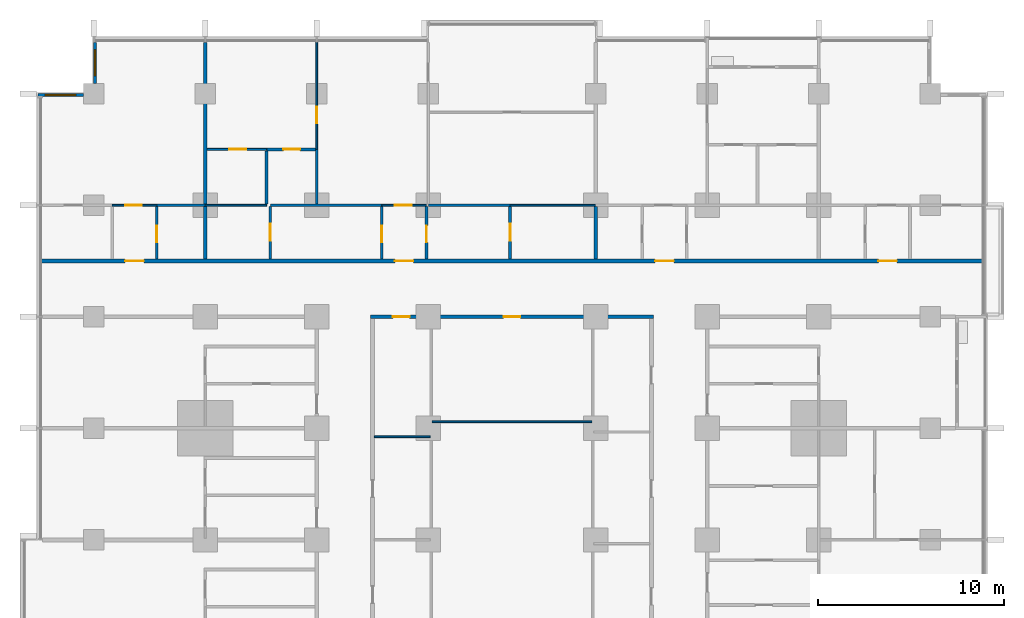
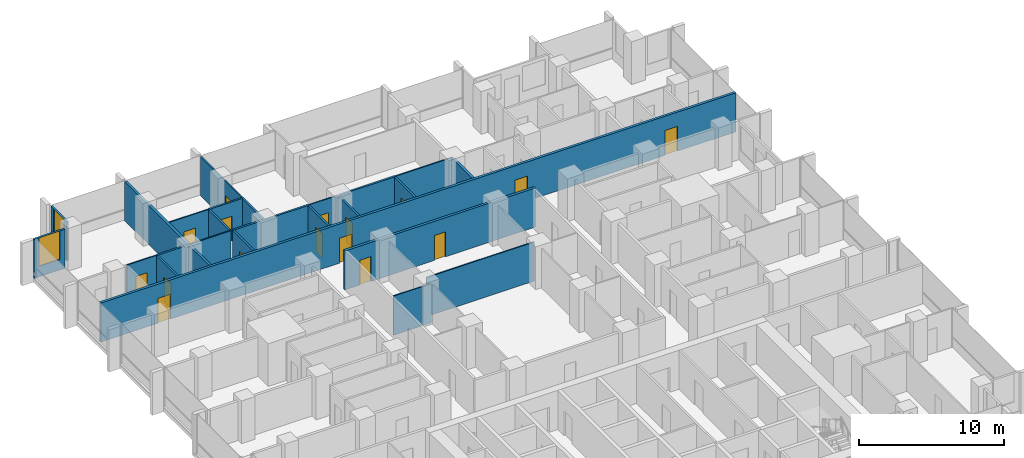
# One storey, part 11 of 18: 26 walls, 16 doors, 2 windows, 18 openings.
"""IFC4 building model written with IfcOpenShell, lengths in metres."""

from ifc_helpers import new_model, si_unit, direction, frame, frame_2d, origin, place, context, subcontext, project, spatial, rectangle, extrude, material, layer, layer_set, type_object, element, fill, save


model = new_model("IFC4")

# Units and contexts
model_context = context("Model", 3, precision=1e-05, world=origin(), true_north=direction((0.0, 1.0)))
body_context = subcontext(model_context, "Body", "Model", "MODEL_VIEW")
ifc_project = project(units=[si_unit("LENGTHUNIT", "METRE"), si_unit("AREAUNIT", "SQUARE_METRE"), si_unit("VOLUMEUNIT", "CUBIC_METRE"), si_unit("PLANEANGLEUNIT", "RADIAN"), si_unit("MASSUNIT", "GRAM", prefix="KILO")], contexts=[model_context])

# Site, building, storey
site_placement = place(None, origin())
site = spatial("IfcSite", under=ifc_project, at=site_placement, CompositionType="ELEMENT")
building_placement = place(site_placement, origin())
building = spatial("IfcBuilding", under=site, at=building_placement, Name="Finial Court Residences", CompositionType="ELEMENT")
storey_placement = place(building_placement, frame((0.0, 0.0, 68.5)))
storey = spatial("IfcBuildingStorey", under=building, at=storey_placement, Name="L16", CompositionType="ELEMENT", Elevation=68.5)

# Walls
ifc_material_1 = material(Name="Gypsum board")
ifc_layer_1 = layer(ifc_material_1, 0.02490234375)
ifc_material_2 = material(Name="Acoustic mineral wool in double frame")
ifc_layer_2 = layer(ifc_material_2, 0.14990234375)
ifc_layer_3 = layer(ifc_material_1, 0.02490234375)
ifc_layer_set_1 = layer_set([ifc_layer_1, ifc_layer_2, ifc_layer_3], Name="Acoustic party wall 200, 1 hour")
wall_type_1 = type_object("IfcWallType", Name="Acoustic party wall 200, 1 hour", PredefinedType="PARTITIONING", material=ifc_layer_set_1)
wall_1_placement = place(storey_placement, frame((-16.5, 16.60009765625, 0.0), z_axis=(0.0, 0.0, 1.0), x_axis=(0.0, 1.0, 0.0)))
element("IfcWall", 1, at=wall_1_placement, inside=storey, type_object=wall_type_1, Name="Partition L16-061", PredefinedType="PARTITIONING", context=body_context, shape_type="SweptSolid", body=[
    extrude(rectangle(XDim=2.824951171875, YDim=0.199951171875, at=frame_2d((1.41259765625, 0.0))), origin(), (0.0, 0.0, 1.0), 3.300048828125),
])
wall_2_placement = place(storey_placement, frame((-16.5, 19.574951171875, 0.0), z_axis=(0.0, 0.0, 1.0), x_axis=(0.0, 1.0, 0.0)))
element("IfcWall", 2, at=wall_2_placement, inside=storey, type_object=wall_type_1, Name="Partition L16-062", PredefinedType="PARTITIONING", context=body_context, shape_type="SweptSolid", body=[
    extrude(rectangle(XDim=8.675048828125, YDim=0.199951171875, at=frame_2d((4.33740234375, 0.0))), origin(), (0.0, 0.0, 1.0), 3.300048828125),
])
wall_3_placement = place(storey_placement, frame((4.5, 16.60009765625, 0.0), z_axis=(0.0, 0.0, 1.0), x_axis=(0.0, 1.0, 0.0)))
element("IfcWall", 3, at=wall_3_placement, inside=storey, type_object=wall_type_1, Name="Partition L16-079", PredefinedType="PARTITIONING", context=body_context, shape_type="SweptSolid", body=[
    extrude(rectangle(XDim=2.824951171875, YDim=0.199951171875, at=frame_2d((1.41259765625, 0.0))), origin(), (0.0, 0.0, 1.0), 3.300048828125),
])

# Wall, openings, doors
ifc_layer_4 = layer(ifc_material_1, 0.02490234375)
ifc_layer_5 = layer(ifc_material_2, 0.14990234375)
ifc_layer_6 = layer(ifc_material_1, 0.02490234375)
ifc_layer_set_2 = layer_set([ifc_layer_4, ifc_layer_5, ifc_layer_6], Name="Corridor wall 200, 1 hour")
wall_type_2 = type_object("IfcWallType", Name="Corridor wall 200, 1 hour", PredefinedType="PARTITIONING", material=ifc_layer_set_2)
wall_4_placement = place(storey_placement, frame((-7.60009765625, 13.5, 0.0), z_axis=(0.0, 0.0, 1.0), x_axis=(1.0, 0.0, 0.0)))
wall_4 = element("IfcWall", 4, at=wall_4_placement, inside=storey, type_object=wall_type_2, Name="Partition L16-033", PredefinedType="PARTITIONING", context=body_context, shape_type="SweptSolid", body=[
    extrude(rectangle(XDim=15.2001953125, YDim=0.199951171875, at=frame_2d((7.60009765625, 0.0))), origin(), (0.0, 0.0, 1.0), 3.300048828125),
])
opening_1_placement = place(wall_4_placement, frame((1.199951171875, 0.0, 0.0)))
opening_1 = element("IfcOpeningElement", 5, at=opening_1_placement, cuts=wall_4, Name="Opening L16-D015", PredefinedType="OPENING", context=body_context, shape_type="SweptSolid", body=[
    extrude(rectangle(XDim=0.89990234375, YDim=2.10009765625, at=frame_2d((0.449951171875, 1.050048828125))), frame((0.0, 0.10986328125, 0.0), z_axis=(0.0, -1.0, 0.0), x_axis=(1.0, 0.0, 0.0)), (0.0, 0.0, 1.0), 0.219970703125),
])
opening_2_placement = place(wall_4_placement, frame((7.14990234375, 0.0, 0.0)))
opening_2 = element("IfcOpeningElement", 6, at=opening_2_placement, cuts=wall_4, Name="Opening L16-D016", PredefinedType="OPENING", context=body_context, shape_type="SweptSolid", body=[
    extrude(rectangle(XDim=0.89990234375, YDim=2.10009765625, at=frame_2d((0.449951171875, 1.050048828125))), frame((0.0, 0.10986328125, 0.0), z_axis=(0.0, -1.0, 0.0), x_axis=(1.0, 0.0, 0.0)), (0.0, 0.0, 1.0), 0.219970703125),
])
ifc_material_3 = material(Name="Timber door leaf in hollow metal frame", Category="wood")
door_type_1 = type_object("IfcDoorType", Name="Fire door set 900 x 2100, 30 minutes", OperationType="SINGLE_SWING_LEFT", PredefinedType="DOOR", material=ifc_material_3)
door_1_placement = place(opening_1_placement, origin())
door_1 = element("IfcDoor", 7, at=door_1_placement, inside=storey, type_object=door_type_1, Name="Door L16-D015", OperationType="SINGLE_SWING_LEFT", OverallHeight=2.10009765625, OverallWidth=0.89990234375, PredefinedType="DOOR", context=body_context, shape_type="SweptSolid", body=[
    extrude(rectangle(XDim=0.89990234375, YDim=2.10009765625, at=frame_2d((0.449951171875, 1.050048828125))), frame((0.0, 0.02490234375, 0.0), z_axis=(0.0, -1.0, 0.0), x_axis=(1.0, 0.0, 0.0)), (0.0, 0.0, 1.0), 0.050048828125),
])
fill(opening_1, door_1)
door_2_placement = place(opening_2_placement, origin())
door_2 = element("IfcDoor", 8, at=door_2_placement, inside=storey, type_object=door_type_1, Name="Door L16-D016", OperationType="SINGLE_SWING_LEFT", OverallHeight=2.10009765625, OverallWidth=0.89990234375, PredefinedType="DOOR", context=body_context, shape_type="SweptSolid", body=[
    extrude(rectangle(XDim=0.89990234375, YDim=2.10009765625, at=frame_2d((0.449951171875, 1.050048828125))), frame((0.0, 0.02490234375, 0.0), z_axis=(0.0, -1.0, 0.0), x_axis=(1.0, 0.0, 0.0)), (0.0, 0.0, 1.0), 0.050048828125),
])
fill(opening_2, door_2)

wall_5_placement = place(storey_placement, frame((-25.35009765625, 16.5, 0.0), z_axis=(0.0, 0.0, 1.0), x_axis=(1.0, 0.0, 0.0)))
wall_5 = element("IfcWall", 9, at=wall_5_placement, inside=storey, type_object=wall_type_2, Name="Partition L16-035", PredefinedType="PARTITIONING", context=body_context, shape_type="SweptSolid", body=[
    extrude(rectangle(XDim=50.7001953125, YDim=0.199951171875, at=frame_2d((25.35009765625, 0.0))), origin(), (0.0, 0.0, 1.0), 3.300048828125),
])
opening_3_placement = place(wall_5_placement, frame((4.550048828125, 0.0, 0.0)))
opening_3 = element("IfcOpeningElement", 10, at=opening_3_placement, cuts=wall_5, Name="Opening L16-D017", PredefinedType="OPENING", context=body_context, shape_type="SweptSolid", body=[
    extrude(rectangle(XDim=1.0, YDim=2.10009765625, at=frame_2d((0.5, 1.050048828125))), frame((0.0, 0.10986328125, 0.0), z_axis=(0.0, -1.0, 0.0), x_axis=(1.0, 0.0, 0.0)), (0.0, 0.0, 1.0), 0.219970703125),
])
opening_4_placement = place(wall_5_placement, frame((19.050048828125, 0.0, 0.0)))
opening_4 = element("IfcOpeningElement", 11, at=opening_4_placement, cuts=wall_5, Name="Opening L16-D018", PredefinedType="OPENING", context=body_context, shape_type="SweptSolid", body=[
    extrude(rectangle(XDim=1.0, YDim=2.10009765625, at=frame_2d((0.5, 1.050048828125))), frame((0.0, 0.10986328125, 0.0), z_axis=(0.0, -1.0, 0.0), x_axis=(1.0, 0.0, 0.0)), (0.0, 0.0, 1.0), 0.219970703125),
])
opening_5_placement = place(wall_5_placement, frame((33.050048828125, 0.0, 0.0)))
opening_5 = element("IfcOpeningElement", 12, at=opening_5_placement, cuts=wall_5, Name="Opening L16-D019", PredefinedType="OPENING", context=body_context, shape_type="SweptSolid", body=[
    extrude(rectangle(XDim=1.0, YDim=2.10009765625, at=frame_2d((0.5, 1.050048828125))), frame((0.0, 0.10986328125, 0.0), z_axis=(0.0, -1.0, 0.0), x_axis=(1.0, 0.0, 0.0)), (0.0, 0.0, 1.0), 0.219970703125),
])
opening_6_placement = place(wall_5_placement, frame((45.050048828125, 0.0, 0.0)))
opening_6 = element("IfcOpeningElement", 13, at=opening_6_placement, cuts=wall_5, Name="Opening L16-D020", PredefinedType="OPENING", context=body_context, shape_type="SweptSolid", body=[
    extrude(rectangle(XDim=1.0, YDim=2.10009765625, at=frame_2d((0.5, 1.050048828125))), frame((0.0, 0.10986328125, 0.0), z_axis=(0.0, -1.0, 0.0), x_axis=(1.0, 0.0, 0.0)), (0.0, 0.0, 1.0), 0.219970703125),
])
door_type_2 = type_object("IfcDoorType", Name="Fire door set 1000 x 2100, 30 minutes", OperationType="SINGLE_SWING_LEFT", PredefinedType="DOOR", material=ifc_material_3)
door_3_placement = place(opening_3_placement, origin())
door_3 = element("IfcDoor", 14, at=door_3_placement, inside=storey, type_object=door_type_2, Name="Door L16-D017", OperationType="SINGLE_SWING_RIGHT", OverallHeight=2.10009765625, OverallWidth=1.0, PredefinedType="DOOR", context=body_context, shape_type="SweptSolid", body=[
    extrude(rectangle(XDim=1.0, YDim=2.10009765625, at=frame_2d((0.5, 1.050048828125))), frame((0.0, 0.02490234375, 0.0), z_axis=(0.0, -1.0, 0.0), x_axis=(1.0, 0.0, 0.0)), (0.0, 0.0, 1.0), 0.050048828125),
])
fill(opening_3, door_3)
door_4_placement = place(opening_4_placement, origin())
door_4 = element("IfcDoor", 15, at=door_4_placement, inside=storey, type_object=door_type_2, Name="Door L16-D018", OperationType="SINGLE_SWING_RIGHT", OverallHeight=2.10009765625, OverallWidth=1.0, PredefinedType="DOOR", context=body_context, shape_type="SweptSolid", body=[
    extrude(rectangle(XDim=1.0, YDim=2.10009765625, at=frame_2d((0.5, 1.050048828125))), frame((0.0, 0.02490234375, 0.0), z_axis=(0.0, -1.0, 0.0), x_axis=(1.0, 0.0, 0.0)), (0.0, 0.0, 1.0), 0.050048828125),
])
fill(opening_4, door_4)
door_5_placement = place(opening_5_placement, origin())
door_5 = element("IfcDoor", 16, at=door_5_placement, inside=storey, type_object=door_type_2, Name="Door L16-D019", OperationType="SINGLE_SWING_LEFT", OverallHeight=2.10009765625, OverallWidth=1.0, PredefinedType="DOOR", context=body_context, shape_type="SweptSolid", body=[
    extrude(rectangle(XDim=1.0, YDim=2.10009765625, at=frame_2d((0.5, 1.050048828125))), frame((0.0, 0.02490234375, 0.0), z_axis=(0.0, -1.0, 0.0), x_axis=(1.0, 0.0, 0.0)), (0.0, 0.0, 1.0), 0.050048828125),
])
fill(opening_5, door_5)
door_6_placement = place(opening_6_placement, origin())
door_6 = element("IfcDoor", 17, at=door_6_placement, inside=storey, type_object=door_type_2, Name="Door L16-D020", OperationType="SINGLE_SWING_LEFT", OverallHeight=2.10009765625, OverallWidth=1.0, PredefinedType="DOOR", context=body_context, shape_type="SweptSolid", body=[
    extrude(rectangle(XDim=1.0, YDim=2.10009765625, at=frame_2d((0.5, 1.050048828125))), frame((0.0, 0.02490234375, 0.0), z_axis=(0.0, -1.0, 0.0), x_axis=(1.0, 0.0, 0.0)), (0.0, 0.0, 1.0), 0.050048828125),
])
fill(opening_6, door_6)

# Walls
ifc_layer_7 = layer(ifc_material_1, 0.012451171875)
ifc_material_4 = material(Name="Mineral wool in light-gauge frame")
ifc_layer_8 = layer(ifc_material_4, 0.074951171875)
ifc_layer_9 = layer(ifc_material_1, 0.012451171875)
ifc_layer_set_3 = layer_set([ifc_layer_7, ifc_layer_8, ifc_layer_9], Name="Gypsum board partition 100")
wall_type_3 = type_object("IfcWallType", Name="Gypsum board partition 100", PredefinedType="PARTITIONING", material=ifc_layer_set_3)
wall_6_placement = place(storey_placement, frame((-7.39990234375, 7.050048828125, 0.0), z_axis=(0.0, 0.0, 1.0), x_axis=(1.0, 0.0, 0.0)))
element("IfcWall", 18, at=wall_6_placement, inside=storey, type_object=wall_type_3, Name="Partition L16-023", PredefinedType="PARTITIONING", context=body_context, shape_type="SweptSolid", body=[
    extrude(rectangle(XDim=3.0, YDim=0.10009765625, at=frame_2d((1.5, 0.0))), origin(), (0.0, 0.0, 1.0), 3.300048828125),
])
wall_7_placement = place(storey_placement, frame((-4.300048828125, 7.85009765625, 0.0), z_axis=(0.0, 0.0, 1.0), x_axis=(1.0, 0.0, 0.0)))
element("IfcWall", 19, at=wall_7_placement, inside=storey, type_object=wall_type_3, Name="Partition L16-027", PredefinedType="PARTITIONING", context=body_context, shape_type="SweptSolid", body=[
    extrude(rectangle(XDim=8.60009765625, YDim=0.10009765625, at=frame_2d((4.300048828125, 0.0))), origin(), (0.0, 0.0, 1.0), 3.300048828125),
])

# Wall, opening, door
wall_8_placement = place(storey_placement, frame((-21.5, 19.5, 0.0), z_axis=(0.0, 0.0, 1.0), x_axis=(1.0, 0.0, 0.0)))
wall_8 = element("IfcWall", 20, at=wall_8_placement, inside=storey, type_object=wall_type_3, Name="Partition L16-036", PredefinedType="PARTITIONING", context=body_context, shape_type="SweptSolid", body=[
    extrude(rectangle(XDim=2.39990234375, YDim=0.10009765625, at=frame_2d((1.199951171875, 0.0))), origin(), (0.0, 0.0, 1.0), 3.300048828125),
])
opening_7_placement = place(wall_8_placement, frame((0.699951171875, 0.0, 0.0)))
opening_7 = element("IfcOpeningElement", 21, at=opening_7_placement, cuts=wall_8, Name="Opening L16-D021", PredefinedType="OPENING", context=body_context, shape_type="SweptSolid", body=[
    extrude(rectangle(XDim=0.89990234375, YDim=2.10009765625, at=frame_2d((0.449951171875, 1.050048828125))), frame((0.0, 0.06005859375, 0.0), z_axis=(0.0, -1.0, 0.0), x_axis=(1.0, 0.0, 0.0)), (0.0, 0.0, 1.0), 0.1201171875),
])
ifc_material_5 = material(Name="Timber door leaf in timber frame", Category="wood")
door_type_3 = type_object("IfcDoorType", Name="Door set 900 x 2100", OperationType="SINGLE_SWING_LEFT", PredefinedType="DOOR", material=ifc_material_5)
door_7_placement = place(opening_7_placement, origin())
door_7 = element("IfcDoor", 22, at=door_7_placement, inside=storey, type_object=door_type_3, Name="Door L16-D021", OperationType="SINGLE_SWING_LEFT", OverallHeight=2.10009765625, OverallWidth=0.89990234375, PredefinedType="DOOR", context=body_context, shape_type="SweptSolid", body=[
    extrude(rectangle(XDim=0.89990234375, YDim=2.10009765625, at=frame_2d((0.449951171875, 1.050048828125))), frame((0.0, 0.02490234375, 0.0), z_axis=(0.0, -1.0, 0.0), x_axis=(1.0, 0.0, 0.0)), (0.0, 0.0, 1.0), 0.050048828125),
])
fill(opening_7, door_7)

# Wall
wall_9_placement = place(storey_placement, frame((-16.5, 19.5, 0.0), z_axis=(0.0, 0.0, 1.0), x_axis=(1.0, 0.0, 0.0)))
element("IfcWall", 23, at=wall_9_placement, inside=storey, type_object=wall_type_3, Name="Partition L16-037", PredefinedType="PARTITIONING", context=body_context, shape_type="SweptSolid", body=[
    extrude(rectangle(XDim=3.300048828125, YDim=0.10009765625, at=frame_2d((1.64990234375, 0.0))), origin(), (0.0, 0.0, 1.0), 3.300048828125),
])

# Wall, opening, door
wall_10_placement = place(storey_placement, frame((-7.0, 19.5, 0.0), z_axis=(0.0, 0.0, 1.0), x_axis=(1.0, 0.0, 0.0)))
wall_10 = element("IfcWall", 24, at=wall_10_placement, inside=storey, type_object=wall_type_3, Name="Partition L16-038", PredefinedType="PARTITIONING", context=body_context, shape_type="SweptSolid", body=[
    extrude(rectangle(XDim=2.39990234375, YDim=0.10009765625, at=frame_2d((1.199951171875, 0.0))), origin(), (0.0, 0.0, 1.0), 3.300048828125),
])
opening_8_placement = place(wall_10_placement, frame((0.699951171875, 0.0, 0.0)))
opening_8 = element("IfcOpeningElement", 25, at=opening_8_placement, cuts=wall_10, Name="Opening L16-D022", PredefinedType="OPENING", context=body_context, shape_type="SweptSolid", body=[
    extrude(rectangle(XDim=0.89990234375, YDim=2.10009765625, at=frame_2d((0.449951171875, 1.050048828125))), frame((0.0, 0.06005859375, 0.0), z_axis=(0.0, -1.0, 0.0), x_axis=(1.0, 0.0, 0.0)), (0.0, 0.0, 1.0), 0.1201171875),
])
door_8_placement = place(opening_8_placement, origin())
door_8 = element("IfcDoor", 26, at=door_8_placement, inside=storey, type_object=door_type_3, Name="Door L16-D022", OperationType="SINGLE_SWING_LEFT", OverallHeight=2.10009765625, OverallWidth=0.89990234375, PredefinedType="DOOR", context=body_context, shape_type="SweptSolid", body=[
    extrude(rectangle(XDim=0.89990234375, YDim=2.10009765625, at=frame_2d((0.449951171875, 1.050048828125))), frame((0.0, 0.02490234375, 0.0), z_axis=(0.0, -1.0, 0.0), x_axis=(1.0, 0.0, 0.0)), (0.0, 0.0, 1.0), 0.050048828125),
])
fill(opening_8, door_8)

# Wall
wall_11_placement = place(storey_placement, frame((-0.10009765625, 19.5, 0.0), z_axis=(0.0, 0.0, 1.0), x_axis=(1.0, 0.0, 0.0)))
element("IfcWall", 27, at=wall_11_placement, inside=storey, type_object=wall_type_3, Name="Partition L16-039", PredefinedType="PARTITIONING", context=body_context, shape_type="SweptSolid", body=[
    extrude(rectangle(XDim=4.60009765625, YDim=0.10009765625, at=frame_2d((2.300048828125, 0.0))), origin(), (0.0, 0.0, 1.0), 3.300048828125),
])

# Wall, opening, door
wall_12_placement = place(storey_placement, frame((-16.39990234375, 22.5, 0.0), z_axis=(0.0, 0.0, 1.0), x_axis=(1.0, 0.0, 0.0)))
wall_12 = element("IfcWall", 28, at=wall_12_placement, inside=storey, type_object=wall_type_3, Name="Partition L16-049", PredefinedType="PARTITIONING", context=body_context, shape_type="SweptSolid", body=[
    extrude(rectangle(XDim=3.199951171875, YDim=0.10009765625, at=frame_2d((1.60009765625, 0.0))), origin(), (0.0, 0.0, 1.0), 3.300048828125),
])
opening_9_placement = place(wall_12_placement, frame((1.199951171875, 0.0, 0.0)))
opening_9 = element("IfcOpeningElement", 29, at=opening_9_placement, cuts=wall_12, Name="Opening L16-D027", PredefinedType="OPENING", context=body_context, shape_type="SweptSolid", body=[
    extrude(rectangle(XDim=0.89990234375, YDim=2.10009765625, at=frame_2d((0.449951171875, 1.050048828125))), frame((0.0, 0.06005859375, 0.0), z_axis=(0.0, -1.0, 0.0), x_axis=(1.0, 0.0, 0.0)), (0.0, 0.0, 1.0), 0.1201171875),
])
door_9_placement = place(opening_9_placement, origin())
door_9 = element("IfcDoor", 30, at=door_9_placement, inside=storey, type_object=door_type_3, Name="Door L16-D027", OperationType="SINGLE_SWING_LEFT", OverallHeight=2.10009765625, OverallWidth=0.89990234375, PredefinedType="DOOR", context=body_context, shape_type="SweptSolid", body=[
    extrude(rectangle(XDim=0.89990234375, YDim=2.10009765625, at=frame_2d((0.449951171875, 1.050048828125))), frame((0.0, 0.02490234375, 0.0), z_axis=(0.0, -1.0, 0.0), x_axis=(1.0, 0.0, 0.0)), (0.0, 0.0, 1.0), 0.050048828125),
])
fill(opening_9, door_9)

wall_13_placement = place(storey_placement, frame((-10.5, 22.5, 0.0), z_axis=(0.0, 0.0, 1.0), x_axis=(0.0, 1.0, 0.0)))
wall_13 = element("IfcWall", 31, at=wall_13_placement, inside=storey, type_object=wall_type_3, Name="Partition L16-070", PredefinedType="PARTITIONING", context=body_context, shape_type="SweptSolid", body=[
    extrude(rectangle(XDim=5.75, YDim=0.10009765625, at=frame_2d((2.875, 0.0))), origin(), (0.0, 0.0, 1.0), 3.300048828125),
])
opening_10_placement = place(wall_13_placement, frame((1.39990234375, 0.0, 0.0)))
opening_10 = element("IfcOpeningElement", 32, at=opening_10_placement, cuts=wall_13, Name="Opening L16-D043", PredefinedType="OPENING", context=body_context, shape_type="SweptSolid", body=[
    extrude(rectangle(XDim=0.89990234375, YDim=2.10009765625, at=frame_2d((0.449951171875, 1.050048828125))), frame((0.0, 0.06005859375, 0.0), z_axis=(0.0, -1.0, 0.0), x_axis=(1.0, 0.0, 0.0)), (0.0, 0.0, 1.0), 0.1201171875),
])
door_10_placement = place(opening_10_placement, origin())
door_10 = element("IfcDoor", 33, at=door_10_placement, inside=storey, type_object=door_type_3, Name="Door L16-D043", OperationType="SINGLE_SWING_RIGHT", OverallHeight=2.10009765625, OverallWidth=0.89990234375, PredefinedType="DOOR", context=body_context, shape_type="SweptSolid", body=[
    extrude(rectangle(XDim=0.89990234375, YDim=2.10009765625, at=frame_2d((0.449951171875, 1.050048828125))), frame((0.0, 0.02490234375, 0.0), z_axis=(0.0, -1.0, 0.0), x_axis=(1.0, 0.0, 0.0)), (0.0, 0.0, 1.0), 0.050048828125),
])
fill(opening_10, door_10)

# Walls
ifc_material_6 = material(Name="Moisture-resistant gypsum board")
ifc_layer_10 = layer(ifc_material_6, 0.012451171875)
ifc_layer_11 = layer(ifc_material_4, 0.125)
ifc_layer_12 = layer(ifc_material_6, 0.012451171875)
ifc_layer_set_4 = layer_set([ifc_layer_10, ifc_layer_11, ifc_layer_12], Name="Gypsum board wet-area partition 150")
wall_type_4 = type_object("IfcWallType", Name="Gypsum board wet-area partition 150", PredefinedType="PARTITIONING", material=ifc_layer_set_4)
wall_14_placement = place(storey_placement, frame((-19.10009765625, 19.5, 0.0), z_axis=(0.0, 0.0, 1.0), x_axis=(1.0, 0.0, 0.0)))
element("IfcWall", 34, at=wall_14_placement, inside=storey, type_object=wall_type_4, Name="Partition L16-043", PredefinedType="PARTITIONING", context=body_context, shape_type="SweptSolid", body=[
    extrude(rectangle(XDim=2.60009765625, YDim=0.14990234375, at=frame_2d((1.300048828125, 0.0))), origin(), (0.0, 0.0, 1.0), 3.300048828125),
])
wall_15_placement = place(storey_placement, frame((-13.0, 19.5, 0.0), z_axis=(0.0, 0.0, 1.0), x_axis=(1.0, 0.0, 0.0)))
element("IfcWall", 35, at=wall_15_placement, inside=storey, type_object=wall_type_4, Name="Partition L16-044", PredefinedType="PARTITIONING", context=body_context, shape_type="SweptSolid", body=[
    extrude(rectangle(XDim=6.0, YDim=0.14990234375, at=frame_2d((3.0, 0.0))), origin(), (0.0, 0.0, 1.0), 3.300048828125),
])
wall_16_placement = place(storey_placement, frame((-4.5, 19.5, 0.0), z_axis=(0.0, 0.0, 1.0), x_axis=(1.0, 0.0, 0.0)))
element("IfcWall", 36, at=wall_16_placement, inside=storey, type_object=wall_type_4, Name="Partition L16-045", PredefinedType="PARTITIONING", context=body_context, shape_type="SweptSolid", body=[
    extrude(rectangle(XDim=4.39990234375, YDim=0.14990234375, at=frame_2d((2.199951171875, 0.0))), origin(), (0.0, 0.0, 1.0), 3.300048828125),
])

# Wall, opening, door
wall_17_placement = place(storey_placement, frame((-13.199951171875, 22.5, 0.0), z_axis=(0.0, 0.0, 1.0), x_axis=(1.0, 0.0, 0.0)))
wall_17 = element("IfcWall", 37, at=wall_17_placement, inside=storey, type_object=wall_type_4, Name="Partition L16-050", PredefinedType="PARTITIONING", context=body_context, shape_type="SweptSolid", body=[
    extrude(rectangle(XDim=2.625, YDim=0.14990234375, at=frame_2d((1.3125, 0.0))), origin(), (0.0, 0.0, 1.0), 3.300048828125),
])
opening_11_placement = place(wall_17_placement, frame((0.89990234375, 0.0, 0.0)))
opening_11 = element("IfcOpeningElement", 38, at=opening_11_placement, cuts=wall_17, Name="Opening L16-D028", PredefinedType="OPENING", context=body_context, shape_type="SweptSolid", body=[
    extrude(rectangle(XDim=0.89990234375, YDim=2.10009765625, at=frame_2d((0.449951171875, 1.050048828125))), frame((0.0, 0.0849609375, 0.0), z_axis=(0.0, -1.0, 0.0), x_axis=(1.0, 0.0, 0.0)), (0.0, 0.0, 1.0), 0.169921875),
])
door_11_placement = place(opening_11_placement, origin())
door_11 = element("IfcDoor", 39, at=door_11_placement, inside=storey, type_object=door_type_3, Name="Door L16-D028", OperationType="SINGLE_SWING_RIGHT", OverallHeight=2.10009765625, OverallWidth=0.89990234375, PredefinedType="DOOR", context=body_context, shape_type="SweptSolid", body=[
    extrude(rectangle(XDim=0.89990234375, YDim=2.10009765625, at=frame_2d((0.449951171875, 1.050048828125))), frame((0.0, 0.02490234375, 0.0), z_axis=(0.0, -1.0, 0.0), x_axis=(1.0, 0.0, 0.0)), (0.0, 0.0, 1.0), 0.050048828125),
])
fill(opening_11, door_11)

wall_18_placement = place(storey_placement, frame((-19.10009765625, 16.60009765625, 0.0), z_axis=(0.0, 0.0, 1.0), x_axis=(0.0, 1.0, 0.0)))
wall_18 = element("IfcWall", 40, at=wall_18_placement, inside=storey, type_object=wall_type_4, Name="Partition L16-056", PredefinedType="PARTITIONING", context=body_context, shape_type="SweptSolid", body=[
    extrude(rectangle(XDim=2.824951171875, YDim=0.14990234375, at=frame_2d((1.41259765625, 0.0))), origin(), (0.0, 0.0, 1.0), 3.300048828125),
])
opening_12_placement = place(wall_18_placement, frame((0.89990234375, 0.0, 0.0)))
opening_12 = element("IfcOpeningElement", 41, at=opening_12_placement, cuts=wall_18, Name="Opening L16-D033", PredefinedType="OPENING", context=body_context, shape_type="SweptSolid", body=[
    extrude(rectangle(XDim=0.89990234375, YDim=2.10009765625, at=frame_2d((0.449951171875, 1.050048828125))), frame((0.0, 0.0849609375, 0.0), z_axis=(0.0, -1.0, 0.0), x_axis=(1.0, 0.0, 0.0)), (0.0, 0.0, 1.0), 0.169921875),
])
door_12_placement = place(opening_12_placement, origin())
door_12 = element("IfcDoor", 42, at=door_12_placement, inside=storey, type_object=door_type_3, Name="Door L16-D033", OperationType="SINGLE_SWING_RIGHT", OverallHeight=2.10009765625, OverallWidth=0.89990234375, PredefinedType="DOOR", context=body_context, shape_type="SweptSolid", body=[
    extrude(rectangle(XDim=0.89990234375, YDim=2.10009765625, at=frame_2d((0.449951171875, 1.050048828125))), frame((0.0, 0.02490234375, 0.0), z_axis=(0.0, -1.0, 0.0), x_axis=(1.0, 0.0, 0.0)), (0.0, 0.0, 1.0), 0.050048828125),
])
fill(opening_12, door_12)

# Wall
wall_19_placement = place(storey_placement, frame((-13.199951171875, 19.574951171875, 0.0), z_axis=(0.0, 0.0, 1.0), x_axis=(0.0, 1.0, 0.0)))
element("IfcWall", 43, at=wall_19_placement, inside=storey, type_object=wall_type_4, Name="Partition L16-067", PredefinedType="PARTITIONING", context=body_context, shape_type="SweptSolid", body=[
    extrude(rectangle(XDim=2.85009765625, YDim=0.14990234375, at=frame_2d((1.425048828125, 0.0))), origin(), (0.0, 0.0, 1.0), 3.300048828125),
])

# Wall, opening, door
wall_20_placement = place(storey_placement, frame((-13.0, 16.60009765625, 0.0), z_axis=(0.0, 0.0, 1.0), x_axis=(0.0, 1.0, 0.0)))
wall_20 = element("IfcWall", 44, at=wall_20_placement, inside=storey, type_object=wall_type_4, Name="Partition L16-068", PredefinedType="PARTITIONING", context=body_context, shape_type="SweptSolid", body=[
    extrude(rectangle(XDim=2.824951171875, YDim=0.14990234375, at=frame_2d((1.41259765625, 0.0))), origin(), (0.0, 0.0, 1.0), 3.300048828125),
])
opening_13_placement = place(wall_20_placement, frame((1.0, 0.0, 0.0)))
opening_13 = element("IfcOpeningElement", 45, at=opening_13_placement, cuts=wall_20, Name="Opening L16-D040", PredefinedType="OPENING", context=body_context, shape_type="SweptSolid", body=[
    extrude(rectangle(XDim=0.89990234375, YDim=2.10009765625, at=frame_2d((0.449951171875, 1.050048828125))), frame((0.0, 0.0849609375, 0.0), z_axis=(0.0, -1.0, 0.0), x_axis=(1.0, 0.0, 0.0)), (0.0, 0.0, 1.0), 0.169921875),
])
door_13_placement = place(opening_13_placement, origin())
door_13 = element("IfcDoor", 46, at=door_13_placement, inside=storey, type_object=door_type_3, Name="Door L16-D040", OperationType="SINGLE_SWING_RIGHT", OverallHeight=2.10009765625, OverallWidth=0.89990234375, PredefinedType="DOOR", context=body_context, shape_type="SweptSolid", body=[
    extrude(rectangle(XDim=0.89990234375, YDim=2.10009765625, at=frame_2d((0.449951171875, 1.050048828125))), frame((0.0, 0.02490234375, 0.0), z_axis=(0.0, -1.0, 0.0), x_axis=(1.0, 0.0, 0.0)), (0.0, 0.0, 1.0), 0.050048828125),
])
fill(opening_13, door_13)

# Wall
wall_21_placement = place(storey_placement, frame((-10.5, 19.574951171875, 0.0), z_axis=(0.0, 0.0, 1.0), x_axis=(0.0, 1.0, 0.0)))
element("IfcWall", 47, at=wall_21_placement, inside=storey, type_object=wall_type_4, Name="Partition L16-071", PredefinedType="PARTITIONING", context=body_context, shape_type="SweptSolid", body=[
    extrude(rectangle(XDim=2.925048828125, YDim=0.14990234375, at=frame_2d((1.46240234375, 0.0))), origin(), (0.0, 0.0, 1.0), 3.300048828125),
])

# Wall, opening, door
wall_22_placement = place(storey_placement, frame((-7.0, 16.60009765625, 0.0), z_axis=(0.0, 0.0, 1.0), x_axis=(0.0, 1.0, 0.0)))
wall_22 = element("IfcWall", 48, at=wall_22_placement, inside=storey, type_object=wall_type_4, Name="Partition L16-073", PredefinedType="PARTITIONING", context=body_context, shape_type="SweptSolid", body=[
    extrude(rectangle(XDim=2.824951171875, YDim=0.14990234375, at=frame_2d((1.41259765625, 0.0))), origin(), (0.0, 0.0, 1.0), 3.300048828125),
])
opening_14_placement = place(wall_22_placement, frame((0.89990234375, 0.0, 0.0)))
opening_14 = element("IfcOpeningElement", 49, at=opening_14_placement, cuts=wall_22, Name="Opening L16-D046", PredefinedType="OPENING", context=body_context, shape_type="SweptSolid", body=[
    extrude(rectangle(XDim=0.89990234375, YDim=2.10009765625, at=frame_2d((0.449951171875, 1.050048828125))), frame((0.0, 0.0849609375, 0.0), z_axis=(0.0, -1.0, 0.0), x_axis=(1.0, 0.0, 0.0)), (0.0, 0.0, 1.0), 0.169921875),
])
door_14_placement = place(opening_14_placement, origin())
door_14 = element("IfcDoor", 50, at=door_14_placement, inside=storey, type_object=door_type_3, Name="Door L16-D046", OperationType="SINGLE_SWING_LEFT", OverallHeight=2.10009765625, OverallWidth=0.89990234375, PredefinedType="DOOR", context=body_context, shape_type="SweptSolid", body=[
    extrude(rectangle(XDim=0.89990234375, YDim=2.10009765625, at=frame_2d((0.449951171875, 1.050048828125))), frame((0.0, 0.02490234375, 0.0), z_axis=(0.0, -1.0, 0.0), x_axis=(1.0, 0.0, 0.0)), (0.0, 0.0, 1.0), 0.050048828125),
])
fill(opening_14, door_14)

wall_23_placement = place(storey_placement, frame((-4.60009765625, 16.60009765625, 0.0), z_axis=(0.0, 0.0, 1.0), x_axis=(0.0, 1.0, 0.0)))
wall_23 = element("IfcWall", 51, at=wall_23_placement, inside=storey, type_object=wall_type_4, Name="Partition L16-074", PredefinedType="PARTITIONING", context=body_context, shape_type="SweptSolid", body=[
    extrude(rectangle(XDim=2.824951171875, YDim=0.14990234375, at=frame_2d((1.41259765625, 0.0))), origin(), (0.0, 0.0, 1.0), 3.300048828125),
])
opening_15_placement = place(wall_23_placement, frame((0.89990234375, 0.0, 0.0)))
opening_15 = element("IfcOpeningElement", 52, at=opening_15_placement, cuts=wall_23, Name="Opening L16-D047", PredefinedType="OPENING", context=body_context, shape_type="SweptSolid", body=[
    extrude(rectangle(XDim=0.89990234375, YDim=2.10009765625, at=frame_2d((0.449951171875, 1.050048828125))), frame((0.0, 0.0849609375, 0.0), z_axis=(0.0, -1.0, 0.0), x_axis=(1.0, 0.0, 0.0)), (0.0, 0.0, 1.0), 0.169921875),
])
door_15_placement = place(opening_15_placement, origin())
door_15 = element("IfcDoor", 53, at=door_15_placement, inside=storey, type_object=door_type_3, Name="Door L16-D047", OperationType="SINGLE_SWING_LEFT", OverallHeight=2.10009765625, OverallWidth=0.89990234375, PredefinedType="DOOR", context=body_context, shape_type="SweptSolid", body=[
    extrude(rectangle(XDim=0.89990234375, YDim=2.10009765625, at=frame_2d((0.449951171875, 1.050048828125))), frame((0.0, 0.02490234375, 0.0), z_axis=(0.0, -1.0, 0.0), x_axis=(1.0, 0.0, 0.0)), (0.0, 0.0, 1.0), 0.050048828125),
])
fill(opening_15, door_15)

wall_24_placement = place(storey_placement, frame((-0.10009765625, 16.60009765625, 0.0), z_axis=(0.0, 0.0, 1.0), x_axis=(0.0, 1.0, 0.0)))
wall_24 = element("IfcWall", 54, at=wall_24_placement, inside=storey, type_object=wall_type_4, Name="Partition L16-077", PredefinedType="PARTITIONING", context=body_context, shape_type="SweptSolid", body=[
    extrude(rectangle(XDim=2.824951171875, YDim=0.14990234375, at=frame_2d((1.41259765625, 0.0))), origin(), (0.0, 0.0, 1.0), 3.300048828125),
])
opening_16_placement = place(wall_24_placement, frame((1.0, 0.0, 0.0)))
opening_16 = element("IfcOpeningElement", 55, at=opening_16_placement, cuts=wall_24, Name="Opening L16-D049", PredefinedType="OPENING", context=body_context, shape_type="SweptSolid", body=[
    extrude(rectangle(XDim=0.89990234375, YDim=2.10009765625, at=frame_2d((0.449951171875, 1.050048828125))), frame((0.0, 0.0849609375, 0.0), z_axis=(0.0, -1.0, 0.0), x_axis=(1.0, 0.0, 0.0)), (0.0, 0.0, 1.0), 0.169921875),
])
door_16_placement = place(opening_16_placement, origin())
door_16 = element("IfcDoor", 56, at=door_16_placement, inside=storey, type_object=door_type_3, Name="Door L16-D049", OperationType="SINGLE_SWING_LEFT", OverallHeight=2.10009765625, OverallWidth=0.89990234375, PredefinedType="DOOR", context=body_context, shape_type="SweptSolid", body=[
    extrude(rectangle(XDim=0.89990234375, YDim=2.10009765625, at=frame_2d((0.449951171875, 1.050048828125))), frame((0.0, 0.02490234375, 0.0), z_axis=(0.0, -1.0, 0.0), x_axis=(1.0, 0.0, 0.0)), (0.0, 0.0, 1.0), 0.050048828125),
])
fill(opening_16, door_16)

# Wall, opening, window
ifc_material_7 = material(Name="Natural limestone", Category="masonry")
ifc_layer_13 = layer(ifc_material_7, 0.14990234375)
ifc_layer_set_5 = layer_set([ifc_layer_13], Name="Limestone clad wall 150")
wall_type_5 = type_object("IfcWallType", Name="Limestone clad wall 150", PredefinedType="SOLIDWALL", material=ifc_layer_set_5)
wall_25_placement = place(storey_placement, frame((-22.425048828125, 26.050048828125, 0.0), z_axis=(0.0, 0.0, 1.0), x_axis=(0.0, 1.0, 0.0)))
wall_25 = element("IfcWall", 57, at=wall_25_placement, inside=storey, type_object=wall_type_5, Name="E-L16-NWW18", PredefinedType="SOLIDWALL", context=body_context, shape_type="SweptSolid", body=[
    extrude(rectangle(XDim=2.199951171875, YDim=0.14990234375, at=frame_2d((1.10009765625, 0.0))), origin(), (0.0, 0.0, 1.0), 3.300048828125),
])
opening_17_placement = place(wall_25_placement, frame((0.39990234375, 0.0, 0.89990234375)))
opening_17 = element("IfcOpeningElement", 58, at=opening_17_placement, cuts=wall_25, Name="Opening WE16-05", PredefinedType="OPENING", context=body_context, shape_type="SweptSolid", body=[
    extrude(rectangle(XDim=1.39990234375, YDim=2.39990234375, at=frame_2d((0.699951171875, 1.199951171875))), frame((0.0, 0.0849609375, 0.0), z_axis=(0.0, -1.0, 0.0), x_axis=(1.0, 0.0, 0.0)), (0.0, 0.0, 1.0), 0.169921875),
])
ifc_material_8 = material(Name="Clear low-e glass", Category="glass")
window_type_1 = type_object("IfcWindowType", Name="Corner window 1400 x 2400", PartitioningType="SINGLE_PANEL", PredefinedType="WINDOW", material=ifc_material_8)
window_1_placement = place(opening_17_placement, origin())
window_1 = element("IfcWindow", 59, at=window_1_placement, inside=storey, type_object=window_type_1, Name="E-L16-NWW18-W1", OverallHeight=2.39990234375, OverallWidth=1.39990234375, PartitioningType="SINGLE_PANEL", PredefinedType="WINDOW", context=body_context, shape_type="SweptSolid", body=[
    extrude(rectangle(XDim=1.39990234375, YDim=2.39990234375, at=frame_2d((0.699951171875, 1.199951171875))), frame((0.0, 0.030029296875, 0.0), z_axis=(0.0, -1.0, 0.0), x_axis=(1.0, 0.0, 0.0)), (0.0, 0.0, 1.0), 0.06005859375),
])
fill(opening_17, window_1)

wall_26_placement = place(storey_placement, frame((-25.5, 25.425048828125, 0.0), z_axis=(0.0, 0.0, 1.0), x_axis=(1.0, 0.0, 0.0)))
wall_26 = element("IfcWall", 60, at=wall_26_placement, inside=storey, type_object=wall_type_5, Name="E-L16-NWN19", PredefinedType="SOLIDWALL", context=body_context, shape_type="SweptSolid", body=[
    extrude(rectangle(XDim=2.449951171875, YDim=0.14990234375, at=frame_2d((1.22509765625, 0.0))), origin(), (0.0, 0.0, 1.0), 3.300048828125),
])
opening_18_placement = place(wall_26_placement, frame((0.39990234375, 0.0, 0.89990234375)))
opening_18 = element("IfcOpeningElement", 61, at=opening_18_placement, cuts=wall_26, Name="Opening WE16-06", PredefinedType="OPENING", context=body_context, shape_type="SweptSolid", body=[
    extrude(rectangle(XDim=1.64990234375, YDim=2.39990234375, at=frame_2d((0.824951171875, 1.199951171875))), frame((0.0, 0.0849609375, 0.0), z_axis=(0.0, -1.0, 0.0), x_axis=(1.0, 0.0, 0.0)), (0.0, 0.0, 1.0), 0.169921875),
])
window_type_2 = type_object("IfcWindowType", Name="Corner window 1650 x 2400", PartitioningType="SINGLE_PANEL", PredefinedType="WINDOW", material=ifc_material_8)
window_2_placement = place(opening_18_placement, origin())
window_2 = element("IfcWindow", 62, at=window_2_placement, inside=storey, type_object=window_type_2, Name="E-L16-NWN19-W1", OverallHeight=2.39990234375, OverallWidth=1.64990234375, PartitioningType="SINGLE_PANEL", PredefinedType="WINDOW", context=body_context, shape_type="SweptSolid", body=[
    extrude(rectangle(XDim=1.64990234375, YDim=2.39990234375, at=frame_2d((0.824951171875, 1.199951171875))), frame((0.0, 0.030029296875, 0.0), z_axis=(0.0, -1.0, 0.0), x_axis=(1.0, 0.0, 0.0)), (0.0, 0.0, 1.0), 0.06005859375),
])
fill(opening_18, window_2)

save(model, "model.ifc")
